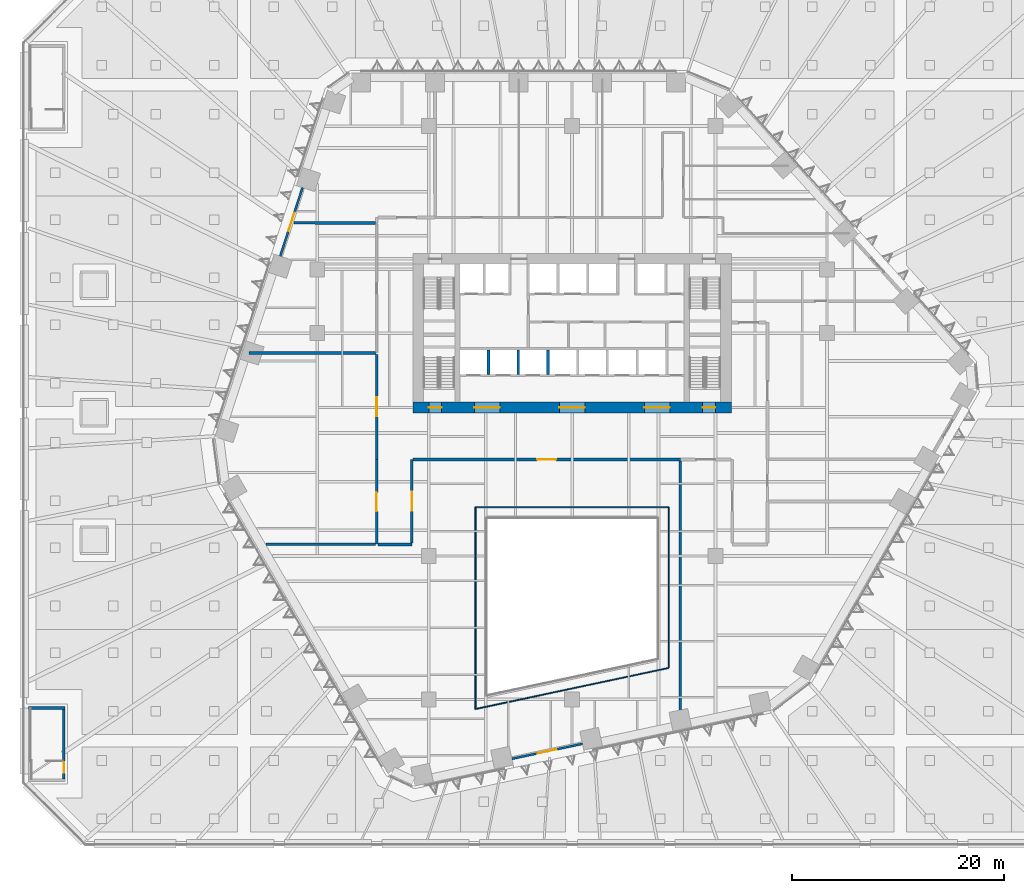
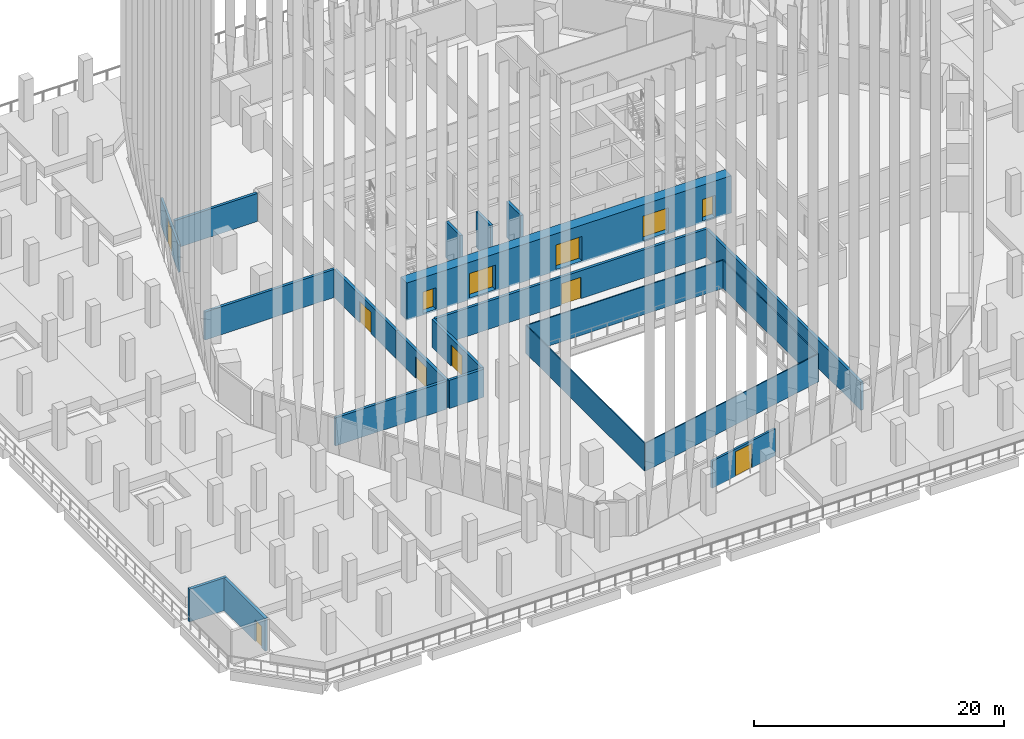
# One storey, part 24 of 51: 21 walls, 12 doors, 12 openings.
"""IFC4 building model written with IfcOpenShell, lengths in metres."""

import ifcopenshell
import ifcopenshell.guid

model = None  # the IFC model being written
_history = None  # IfcOwnerHistory: only IFC2X3 demands one
_inside = {}  # id of a spatial element -> (the spatial element, [elements in it])
_under = {}  # id of a project, library or spatial element -> (it, [spatial elements below it])
_declared = {}  # id of a project -> (the project, [libraries it declares])
_typed = {}  # id of a type object -> (the type object, [elements of that type])
_made_of = {}  # id of a material, layer set ... -> (it, [elements and type objects made of it])


def new_model(schema):
    """Start an empty IFC model of exactly this schema.

    Asked for "IFC4X3", IfcOpenShell would pick the latest addendum, in which some entities
    have other attributes; the version numbers below select the first issue.
    IFC2X3 requires an IfcOwnerHistory on every rooted entity: one is made here for all.
    """
    global model, _history
    if schema == "IFC4X3":
        model = ifcopenshell.file(schema_version=(4, 3, 0, 0))
    else:
        model = ifcopenshell.file(schema=schema)
    _inside.clear()
    _under.clear()
    _declared.clear()
    _typed.clear()
    _made_of.clear()
    _history = None
    if model.schema == "IFC2X3":
        org = make("IfcOrganization", Name="unknown")
        user = make(
            "IfcPersonAndOrganization",
            ThePerson=make("IfcPerson", FamilyName="unknown"),
            TheOrganization=org,
        )
        app = make(
            "IfcApplication",
            ApplicationDeveloper=org,
            Version="unknown",
            ApplicationFullName="unknown",
            ApplicationIdentifier="unknown",
        )
        _history = make(
            "IfcOwnerHistory",
            OwningUser=user,
            OwningApplication=app,
            ChangeAction="ADDED",
            CreationDate=0,
        )
    return model


def make(cls, **values):
    """One entity of the class cls with the attributes given. An attribute that is None is left unset."""
    return model.create_entity(
        cls, **{name: value for name, value in values.items() if value is not None}
    )


def rooted(cls, **values):
    """An entity with a GlobalId (a new one), such as an element, a storey or a relation."""
    return make(cls, GlobalId=ifcopenshell.guid.new(), OwnerHistory=_history, **values)


def si_unit(unit_type, name, prefix=None):
    """IfcSIUnit, for example si_unit("LENGTHUNIT", "METRE", prefix="MILLI")."""
    return make("IfcSIUnit", UnitType=unit_type, Prefix=prefix, Name=name)


def assignment(units):
    """IfcUnitAssignment: the units of a project."""
    return None if units is None else make("IfcUnitAssignment", Units=units)


def point(xyz):
    """IfcCartesianPoint."""
    return None if xyz is None else make("IfcCartesianPoint", Coordinates=xyz)


def direction(xyz):
    """IfcDirection."""
    return None if xyz is None else make("IfcDirection", DirectionRatios=xyz)


def frame(location, z_axis=None, x_axis=None):
    """IfcAxis2Placement3D, a coordinate frame: its origin and axes. An axis left out is left unset."""
    return make(
        "IfcAxis2Placement3D",
        Location=point(location),
        Axis=direction(z_axis),
        RefDirection=direction(x_axis),
    )


def frame_2d(location, x_axis=None):
    """IfcAxis2Placement2D, a coordinate frame in the plane: its origin and x axis."""
    return make(
        "IfcAxis2Placement2D", Location=point(location), RefDirection=direction(x_axis)
    )


def origin():
    """The frame at (0, 0, 0) with its axes left unset."""
    return frame((0.0, 0.0, 0.0))


def place(relative_to, where):
    """IfcLocalPlacement: puts the frame where relative to a parent placement (None: the world)."""
    return make(
        "IfcLocalPlacement", PlacementRelTo=relative_to, RelativePlacement=where
    )


def context(
    kind, dimensions, precision=None, world=None, true_north=None, identifier=None
):
    """IfcGeometricRepresentationContext, for example the 3D "Model" context."""
    return make(
        "IfcGeometricRepresentationContext",
        ContextIdentifier=identifier,
        ContextType=kind,
        CoordinateSpaceDimension=dimensions,
        Precision=precision,
        WorldCoordinateSystem=world,
        TrueNorth=true_north,
    )


def subcontext(parent, identifier, kind, view, scale=None):
    """IfcGeometricRepresentationSubContext, for example "Body" below "Model"."""
    return make(
        "IfcGeometricRepresentationSubContext",
        ContextIdentifier=identifier,
        ContextType=kind,
        ParentContext=parent,
        TargetScale=scale,
        TargetView=view,
    )


def project(units=None, contexts=None):
    """IfcProject with its units and contexts."""
    return rooted(
        "IfcProject",
        Name="project",
        RepresentationContexts=contexts,
        UnitsInContext=assignment(units),
    )


def spatial(cls, under=None, at=None, **own):
    """A site, building, storey or space (cls), placed at a placement, below another one or the project."""
    s = rooted(cls, ObjectPlacement=at, **own)
    if under is not None:
        _under.setdefault(under.id(), (under, []))[1].append(s)
    return s


def profile(cls, at=None, kind="AREA", **sizes):
    """A parametric profile (cls). Its sizes go by their IFC names, for example OverallWidth=200.0."""
    return make(cls, ProfileType=kind, Position=at, **sizes)


def rectangle(**sizes):
    """IfcRectangleProfileDef."""
    return profile("IfcRectangleProfileDef", **sizes)


def extrude(swept, where, along, depth):
    """IfcExtrudedAreaSolid: the profile swept, set in the frame where, extruded along a direction by depth."""
    return make(
        "IfcExtrudedAreaSolid",
        SweptArea=swept,
        Position=where,
        ExtrudedDirection=direction(along),
        Depth=depth,
    )


def shape(context_of_items, identifier, shape_type, items):
    """IfcShapeRepresentation: the items that make up one representation, for example the "Body"."""
    return make(
        "IfcShapeRepresentation",
        ContextOfItems=context_of_items,
        RepresentationIdentifier=identifier,
        RepresentationType=shape_type,
        Items=items,
    )


def material(Name=None, Category=None):
    """IfcMaterial."""
    return make("IfcMaterial", Name=Name, Category=Category)


def layer(
    of_material, thickness, ventilated=None, Name=None, Category=None, Priority=None
):
    """IfcMaterialLayer: one layer of a wall or slab, of a material (None: an air gap)."""
    return make(
        "IfcMaterialLayer",
        Material=of_material,
        LayerThickness=thickness,
        IsVentilated=ventilated,
        Name=Name,
        Category=Category,
        Priority=Priority,
    )


def layer_set(layers, Name=None):
    """IfcMaterialLayerSet."""
    return make("IfcMaterialLayerSet", MaterialLayers=layers, LayerSetName=Name)


def made_of(thing, what):
    """Note that an element or type object is made of a material, layer set ...; save() writes the relation."""
    if what is not None:
        _made_of.setdefault(what.id(), (what, []))[1].append(thing)
    return thing


def type_object(cls, material=None, **own):
    """A type object (cls), such as IfcWallType, which elements share."""
    return made_of(rooted(cls, **own), material)


def element(
    cls,
    number,
    at=None,
    inside=None,
    cuts=None,
    type_object=None,
    material=None,
    context=None,
    identifier="Body",
    shape_type=None,
    held_by="IfcProductDefinitionShape",
    body=None,
    shapes=None,
    **own,
):
    """One element of the class cls, such as IfcWall. Its Tag is "e" and its number.

    at: its placement. inside: the storey or other place that contains it. cuts: it is an
    opening in that element (IfcRelVoidsElement). A single representation is given by context,
    identifier, shape_type and body (its items); several are given by shapes. held_by: the class
    of the entity that holds the representations. save() writes the other relations.
    """
    e = rooted(cls, Tag="e%d" % number, ObjectPlacement=at, **own)
    if body is not None:
        shapes = [shape(context, identifier, shape_type, body)]
    if shapes is not None:
        e.Representation = make(held_by, Representations=shapes)
    if inside is not None:
        _inside.setdefault(inside.id(), (inside, []))[1].append(e)
    if cuts is not None:
        rooted(
            "IfcRelVoidsElement", RelatingBuildingElement=cuts, RelatedOpeningElement=e
        )
    if type_object is not None:
        _typed.setdefault(type_object.id(), (type_object, []))[1].append(e)
    return made_of(e, material)


def fill(opening, filler):
    """IfcRelFillsElement: the door or window that sits in an opening."""
    return rooted(
        "IfcRelFillsElement",
        RelatingOpeningElement=opening,
        RelatedBuildingElement=filler,
    )


def aggregate(whole, parts):
    """IfcRelAggregates: a whole, such as a stair, and the parts it consists of."""
    return rooted("IfcRelAggregates", RelatingObject=whole, RelatedObjects=parts)


def save(model, path):
    """Write the relations noted so far, then the file.

    IfcRelAggregates (storeys below a building ...), IfcRelContainedInSpatialStructure (elements
    in a storey), IfcRelDefinesByType, IfcRelAssociatesMaterial and IfcRelDeclares: one each for
    every whole, place, type object, material and project.
    """
    for whole, parts in _under.values():
        aggregate(whole, parts)
    for where, things in _inside.values():
        rooted(
            "IfcRelContainedInSpatialStructure",
            RelatedElements=things,
            RelatingStructure=where,
        )
    for kind, things in _typed.values():
        rooted("IfcRelDefinesByType", RelatedObjects=things, RelatingType=kind)
    for what, things in _made_of.values():
        rooted("IfcRelAssociatesMaterial", RelatedObjects=things, RelatingMaterial=what)
    for by, libraries in _declared.values():
        rooted("IfcRelDeclares", RelatingContext=by, RelatedDefinitions=libraries)
    model.write(path)


model = new_model("IFC4")

# Units and contexts
model_context = context("Model", 3, precision=1e-05, world=origin(), true_north=direction((0.0, 1.0)))
body_context = subcontext(model_context, "Body", "Model", "MODEL_VIEW")
ifc_project = project(units=[si_unit("LENGTHUNIT", "METRE"), si_unit("AREAUNIT", "SQUARE_METRE"), si_unit("VOLUMEUNIT", "CUBIC_METRE"), si_unit("PLANEANGLEUNIT", "RADIAN"), si_unit("MASSUNIT", "GRAM", prefix="KILO")], contexts=[model_context])

# Site, building, storey
site_placement = place(None, origin())
site = spatial("IfcSite", under=ifc_project, at=site_placement, CompositionType="ELEMENT")
building_placement = place(site_placement, origin())
building = spatial("IfcBuilding", under=site, at=building_placement, Name="Isthmus Gate Tower", CompositionType="ELEMENT")
storey_placement = place(building_placement, frame((0.0, 0.0, 36.0)))
storey = spatial("IfcBuildingStorey", under=building, at=storey_placement, Name="L06", CompositionType="ELEMENT", Elevation=36.0)

# Wall, opening, door
ifc_material_1 = material(Name="Double-leaf acoustic stud wall, fire-rated", Category="gypsum")
ifc_layer_1 = layer(ifc_material_1, 0.25)
ifc_layer_set_1 = layer_set([ifc_layer_1], Name="ACOUSTIC WALL 250 60 MIN")
wall_type_1 = type_object("IfcWallType", Name="ACOUSTIC WALL 250 60 MIN", PredefinedType="PARTITIONING", material=ifc_layer_set_1)
wall_1_placement = place(storey_placement, frame((10.19189453125, -4.39990234375, 0.0), z_axis=(0.0, 0.0, 1.0), x_axis=(-1.0, 0.0, 0.0)))
wall_1 = element("IfcWall", 1, at=wall_1_placement, inside=storey, type_object=wall_type_1, Name="L06 Acoustic Wall 250 60 Min", PredefinedType="PARTITIONING", context=body_context, shape_type="SweptSolid", body=[
    extrude(rectangle(XDim=25.1669921875, YDim=0.25, at=frame_2d((12.58349609375, 0.0))), origin(), (0.0, 0.0, 1.0), 2.7412109375),
])
opening_1_placement = place(wall_1_placement, frame((11.696044921875, 0.0, 0.0)))
opening_1 = element("IfcOpeningElement", 2, at=opening_1_placement, cuts=wall_1, Name="Opening DT-T1A-14", PredefinedType="OPENING", context=body_context, shape_type="SweptSolid", body=[
    extrude(rectangle(XDim=1.800048828125, YDim=2.10009765625, at=frame_2d((0.89990234375, 1.050048828125))), frame((0.0, 0.135009765625, 0.0), z_axis=(0.0, -1.0, 0.0), x_axis=(1.0, 0.0, 0.0)), (0.0, 0.0, 1.0), 0.27001953125),
])
ifc_material_2 = material(Name="Solid core timber door leaf, fire-rated", Category="wood")
door_type_1 = type_object("IfcDoorType", Name="FIRE DOOR ACOUSTIC ROOM 1800 X 2100 60 MIN", OperationType="DOUBLE_DOOR_DOUBLE_SWING", PredefinedType="DOOR", material=ifc_material_2)
door_1_placement = place(opening_1_placement, origin())
door_1 = element("IfcDoor", 3, at=door_1_placement, inside=storey, type_object=door_type_1, Name="L06 room door", OperationType="DOUBLE_DOOR_DOUBLE_SWING", OverallHeight=2.10009765625, OverallWidth=1.800048828125, PredefinedType="DOOR", context=body_context, shape_type="SweptSolid", body=[
    extrude(rectangle(XDim=1.800048828125, YDim=2.10009765625, at=frame_2d((0.89990234375, 1.050048828125))), frame((0.0, 0.02490234375, 0.0), z_axis=(0.0, -1.0, 0.0), x_axis=(1.0, 0.0, 0.0)), (0.0, 0.0, 1.0), 0.050048828125),
])
fill(opening_1, door_1)

# Wall
wall_2_placement = place(storey_placement, frame((-15.10009765625, -12.39990234375, 0.0), z_axis=(0.0, 0.0, 1.0), x_axis=(-1.0, 0.0, 0.0)))
element("IfcWall", 4, at=wall_2_placement, inside=storey, type_object=wall_type_1, Name="L06 Acoustic Wall 250 60 Min", PredefinedType="PARTITIONING", context=body_context, shape_type="SweptSolid", body=[
    extrude(rectangle(XDim=3.201904296875, YDim=0.25, at=frame_2d((1.60107421875, 0.0))), origin(), (0.0, 0.0, 1.0), 2.7412109375),
])

# Wall, opening, door
wall_3_placement = place(storey_placement, frame((-15.10009765625, -4.39990234375, 0.0), z_axis=(0.0, 0.0, 1.0), x_axis=(0.0, -1.0, 0.0)))
wall_3 = element("IfcWall", 5, at=wall_3_placement, inside=storey, type_object=wall_type_1, Name="L06 Acoustic Wall 250 60 Min", PredefinedType="PARTITIONING", context=body_context, shape_type="SweptSolid", body=[
    extrude(rectangle(XDim=7.875, YDim=0.25, at=frame_2d((3.9375, 0.0))), origin(), (0.0, 0.0, 1.0), 2.7412109375),
])
opening_2_placement = place(wall_3_placement, frame((3.03759765625, 0.0, 0.0)))
opening_2 = element("IfcOpeningElement", 6, at=opening_2_placement, cuts=wall_3, Name="Opening DT-T1A-15", PredefinedType="OPENING", context=body_context, shape_type="SweptSolid", body=[
    extrude(rectangle(XDim=1.800048828125, YDim=2.10009765625, at=frame_2d((0.89990234375, 1.050048828125))), frame((0.0, 0.135009765625, 0.0), z_axis=(0.0, -1.0, 0.0), x_axis=(1.0, 0.0, 0.0)), (0.0, 0.0, 1.0), 0.27001953125),
])
door_2_placement = place(opening_2_placement, origin())
door_2 = element("IfcDoor", 7, at=door_2_placement, inside=storey, type_object=door_type_1, Name="L06 room door", OperationType="DOUBLE_DOOR_DOUBLE_SWING", OverallHeight=2.10009765625, OverallWidth=1.800048828125, PredefinedType="DOOR", context=body_context, shape_type="SweptSolid", body=[
    extrude(rectangle(XDim=1.800048828125, YDim=2.10009765625, at=frame_2d((0.89990234375, 1.050048828125))), frame((0.0, 0.02490234375, 0.0), z_axis=(0.0, -1.0, 0.0), x_axis=(1.0, 0.0, 0.0)), (0.0, 0.0, 1.0), 0.050048828125),
])
fill(opening_2, door_2)

# Walls
wall_4_placement = place(storey_placement, frame((-26.169921875, 17.8828125, 0.0), z_axis=(0.0, 0.0, 1.0), x_axis=(0.999999975014, -0.00022354218, 0.0)))
element("IfcWall", 8, at=wall_4_placement, inside=storey, type_object=wall_type_1, Name="L06 Acoustic Wall 250 60 Min", PredefinedType="PARTITIONING", context=body_context, shape_type="SweptSolid", body=[
    extrude(rectangle(XDim=7.64501953125, YDim=0.25, at=frame_2d((3.822509765625, 0.0))), origin(), (0.0, 0.0, 1.0), 2.7412109375),
])
wall_5_placement = place(storey_placement, frame((-30.450927734375, 5.6298828125, 0.0), z_axis=(0.0, 0.0, 1.0), x_axis=(1.0, 0.0, 0.0)))
element("IfcWall", 9, at=wall_5_placement, inside=storey, type_object=wall_type_1, Name="L06 Acoustic Wall 250 60 Min", PredefinedType="PARTITIONING", context=body_context, shape_type="SweptSolid", body=[
    extrude(rectangle(XDim=11.975830078125, YDim=0.25, at=frame_2d((5.98779296875, 0.0))), origin(), (0.0, 0.0, 1.0), 2.7412109375),
])

# Wall, opening, door
wall_6_placement = place(storey_placement, frame((-18.402099609375, -12.3515625, 0.0), z_axis=(0.0, 0.0, 1.0), x_axis=(0.0, 1.0, 0.0)))
wall_6 = element("IfcWall", 10, at=wall_6_placement, inside=storey, type_object=wall_type_1, Name="L06 Acoustic Wall 250 60 Min", PredefinedType="PARTITIONING", context=body_context, shape_type="SweptSolid", body=[
    extrude(rectangle(XDim=7.95361328125, YDim=0.25, at=frame_2d((3.976806640625, 0.0))), origin(), (0.0, 0.0, 1.0), 2.7412109375),
])
opening_3_placement = place(wall_6_placement, frame((3.06591796875, 0.0, 0.0)))
opening_3 = element("IfcOpeningElement", 11, at=opening_3_placement, cuts=wall_6, Name="Opening DT-T1A-12", PredefinedType="OPENING", context=body_context, shape_type="SweptSolid", body=[
    extrude(rectangle(XDim=1.800048828125, YDim=2.10009765625, at=frame_2d((0.89990234375, 1.050048828125))), frame((0.0, 0.135009765625, 0.0), z_axis=(0.0, -1.0, 0.0), x_axis=(1.0, 0.0, 0.0)), (0.0, 0.0, 1.0), 0.27001953125),
])
door_3_placement = place(opening_3_placement, origin())
door_3 = element("IfcDoor", 12, at=door_3_placement, inside=storey, type_object=door_type_1, Name="L06 room door", OperationType="DOUBLE_DOOR_DOUBLE_SWING", OverallHeight=2.10009765625, OverallWidth=1.800048828125, PredefinedType="DOOR", context=body_context, shape_type="SweptSolid", body=[
    extrude(rectangle(XDim=1.800048828125, YDim=2.10009765625, at=frame_2d((0.89990234375, 1.050048828125))), frame((0.0, 0.02490234375, 0.0), z_axis=(0.0, -1.0, 0.0), x_axis=(1.0, 0.0, 0.0)), (0.0, 0.0, 1.0), 0.050048828125),
])
fill(opening_3, door_3)

wall_7_placement = place(storey_placement, frame((-18.39990234375, -4.39794921875, 0.0), z_axis=(0.0, 0.0, 1.0), x_axis=(0.0, 1.0, 0.0)))
wall_7 = element("IfcWall", 13, at=wall_7_placement, inside=storey, type_object=wall_type_1, Name="L06 Acoustic Wall 250 60 Min", PredefinedType="PARTITIONING", context=body_context, shape_type="SweptSolid", body=[
    extrude(rectangle(XDim=9.90283203125, YDim=0.25, at=frame_2d((4.951416015625, 0.0))), origin(), (0.0, 0.0, 1.0), 2.7412109375),
])
opening_4_placement = place(wall_7_placement, frame((4.051513671875, 0.0, 0.0)))
opening_4 = element("IfcOpeningElement", 14, at=opening_4_placement, cuts=wall_7, Name="Opening DT-T1A-11", PredefinedType="OPENING", context=body_context, shape_type="SweptSolid", body=[
    extrude(rectangle(XDim=1.800048828125, YDim=2.10009765625, at=frame_2d((0.89990234375, 1.050048828125))), frame((0.0, 0.135009765625, 0.0), z_axis=(0.0, -1.0, 0.0), x_axis=(1.0, 0.0, 0.0)), (0.0, 0.0, 1.0), 0.27001953125),
])
door_4_placement = place(opening_4_placement, origin())
door_4 = element("IfcDoor", 15, at=door_4_placement, inside=storey, type_object=door_type_1, Name="L06 room door", OperationType="DOUBLE_DOOR_DOUBLE_SWING", OverallHeight=2.10009765625, OverallWidth=1.800048828125, PredefinedType="DOOR", context=body_context, shape_type="SweptSolid", body=[
    extrude(rectangle(XDim=1.800048828125, YDim=2.10009765625, at=frame_2d((0.89990234375, 1.050048828125))), frame((0.0, 0.02490234375, 0.0), z_axis=(0.0, -1.0, 0.0), x_axis=(1.0, 0.0, 0.0)), (0.0, 0.0, 1.0), 0.050048828125),
])
fill(opening_4, door_4)

# Walls
wall_8_placement = place(storey_placement, frame((-28.81396484375, -12.373046875, 0.0), z_axis=(0.0, 0.0, 1.0), x_axis=(1.0, 0.0, 0.0)))
element("IfcWall", 16, at=wall_8_placement, inside=storey, type_object=wall_type_1, Name="L06 Acoustic Wall 250 60 Min", PredefinedType="PARTITIONING", context=body_context, shape_type="SweptSolid", body=[
    extrude(rectangle(XDim=10.286865234375, YDim=0.25, at=frame_2d((5.1435546875, 0.0))), origin(), (0.0, 0.0, 1.0), 2.7412109375),
])
wall_9_placement = place(storey_placement, frame((10.19189453125, -29.219970703125, 0.0), z_axis=(0.0, 0.0, 1.0), x_axis=(0.0, 1.0, 0.0)))
element("IfcWall", 17, at=wall_9_placement, inside=storey, type_object=wall_type_1, Name="L06 Acoustic Wall 250 60 Min", PredefinedType="PARTITIONING", context=body_context, shape_type="SweptSolid", body=[
    extrude(rectangle(XDim=24.695068359375, YDim=0.25, at=frame_2d((12.34765625, 0.0))), origin(), (0.0, 0.0, 1.0), 2.7412109375),
])
ifc_material_3 = material(Name="Fire-rated laminated glass in steel frame", Category="steel")
ifc_layer_2 = layer(ifc_material_3, 0.10009765625)
ifc_layer_set_2 = layer_set([ifc_layer_2], Name="ATRIUM SCREEN GLAZED WALL 100 120 MIN")
wall_type_2 = type_object("IfcWallType", Name="ATRIUM SCREEN GLAZED WALL 100 120 MIN", PredefinedType="PARTITIONING", material=ifc_layer_set_2)
wall_10_placement = place(storey_placement, frame((-9.10009765625, -8.89990234375, 0.0), z_axis=(0.0, 0.0, 1.0), x_axis=(1.0, 0.0, 0.0)))
element("IfcWall", 18, at=wall_10_placement, inside=storey, type_object=wall_type_2, Name="L06 atrium screen", PredefinedType="PARTITIONING", context=body_context, shape_type="SweptSolid", body=[
    extrude(rectangle(XDim=18.2001953125, YDim=0.10009765625, at=frame_2d((9.10009765625, 0.0))), origin(), (0.0, 0.0, 1.0), 2.7412109375),
])
wall_11_placement = place(storey_placement, frame((9.10009765625, -8.89990234375, 0.0), z_axis=(0.0, 0.0, 1.0), x_axis=(0.0, -1.0, 0.0)))
element("IfcWall", 19, at=wall_11_placement, inside=storey, type_object=wall_type_2, Name="L06 atrium screen", PredefinedType="PARTITIONING", context=body_context, shape_type="SweptSolid", body=[
    extrude(rectangle(XDim=15.134033203125, YDim=0.10009765625, at=frame_2d((7.56689453125, 0.0))), origin(), (0.0, 0.0, 1.0), 2.7412109375),
])
wall_12_placement = place(storey_placement, frame((9.10009765625, -24.033935546875, 0.0), z_axis=(0.0, 0.0, 1.0), x_axis=(-0.978146710971, -0.207915876778, 0.0)))
element("IfcWall", 20, at=wall_12_placement, inside=storey, type_object=wall_type_2, Name="L06 atrium screen", PredefinedType="PARTITIONING", context=body_context, shape_type="SweptSolid", body=[
    extrude(rectangle(XDim=18.60693359375, YDim=0.10009765625, at=frame_2d((9.303466796875, 0.0))), origin(), (0.0, 0.0, 1.0), 2.7412109375),
])
wall_13_placement = place(storey_placement, frame((-9.10009765625, -27.902587890625, 0.0), z_axis=(0.0, 0.0, 1.0), x_axis=(0.0, 1.0, 0.0)))
element("IfcWall", 21, at=wall_13_placement, inside=storey, type_object=wall_type_2, Name="L06 atrium screen", PredefinedType="PARTITIONING", context=body_context, shape_type="SweptSolid", body=[
    extrude(rectangle(XDim=19.002685546875, YDim=0.10009765625, at=frame_2d((9.50146484375, 0.0))), origin(), (0.0, 0.0, 1.0), 2.7412109375),
])

# Wall, openings, doors
ifc_material_4 = material(Name="Concrete f'c 70 MPa", Category="concrete")
ifc_layer_3 = layer(ifc_material_4, 1.0)
ifc_layer_set_3 = layer_set([ifc_layer_3], Name="RC CORE WALL 1000 F'C 70")
wall_type_3 = type_object("IfcWallType", Name="RC CORE WALL 1000 F'C 70", PredefinedType="SOLIDWALL", material=ifc_layer_set_3)
wall_14_placement = place(storey_placement, frame((-15.0, 0.5, -0.14990234375), z_axis=(0.0, 0.0, 1.0), x_axis=(1.0, 0.0, 0.0)))
wall_14 = element("IfcWall", 22, at=wall_14_placement, inside=storey, type_object=wall_type_3, Name="str-corewall-L06-S", PredefinedType="SOLIDWALL", context=body_context, shape_type="SweptSolid", body=[
    extrude(rectangle(XDim=30.0, YDim=1.0, at=frame_2d((15.0, 0.0))), origin(), (0.0, 0.0, 1.0), 3.64990234375),
])
opening_5_placement = place(wall_14_placement, frame((5.800048828125, 0.0, 0.14990234375)))
opening_5 = element("IfcOpeningElement", 23, at=opening_5_placement, cuts=wall_14, Name="Opening DC-A03-08", PredefinedType="OPENING", context=body_context, shape_type="SweptSolid", body=[
    extrude(rectangle(XDim=2.39990234375, YDim=2.39990234375, at=frame_2d((1.199951171875, 1.199951171875))), frame((0.0, 0.510009765625, 0.0), z_axis=(0.0, -1.0, 0.0), x_axis=(1.0, 0.0, 0.0)), (0.0, 0.0, 1.0), 1.02001953125),
])
opening_6_placement = place(wall_14_placement, frame((13.800048828125, 0.0, 0.14990234375)))
opening_6 = element("IfcOpeningElement", 24, at=opening_6_placement, cuts=wall_14, Name="Opening DC-A03-09", PredefinedType="OPENING", context=body_context, shape_type="SweptSolid", body=[
    extrude(rectangle(XDim=2.39990234375, YDim=2.39990234375, at=frame_2d((1.199951171875, 1.199951171875))), frame((0.0, 0.510009765625, 0.0), z_axis=(0.0, -1.0, 0.0), x_axis=(1.0, 0.0, 0.0)), (0.0, 0.0, 1.0), 1.02001953125),
])
opening_7_placement = place(wall_14_placement, frame((21.800048828125, 0.0, 0.14990234375)))
opening_7 = element("IfcOpeningElement", 25, at=opening_7_placement, cuts=wall_14, Name="Opening DC-A03-10", PredefinedType="OPENING", context=body_context, shape_type="SweptSolid", body=[
    extrude(rectangle(XDim=2.39990234375, YDim=2.39990234375, at=frame_2d((1.199951171875, 1.199951171875))), frame((0.0, 0.510009765625, 0.0), z_axis=(0.0, -1.0, 0.0), x_axis=(1.0, 0.0, 0.0)), (0.0, 0.0, 1.0), 1.02001953125),
])
opening_8_placement = place(wall_14_placement, frame((1.5, 0.0, 0.14990234375)))
opening_8 = element("IfcOpeningElement", 26, at=opening_8_placement, cuts=wall_14, Name="Opening DC-A03-15", PredefinedType="OPENING", context=body_context, shape_type="SweptSolid", body=[
    extrude(rectangle(XDim=1.199951171875, YDim=2.10009765625, at=frame_2d((0.60009765625, 1.050048828125))), frame((0.0, 0.510009765625, 0.0), z_axis=(0.0, -1.0, 0.0), x_axis=(1.0, 0.0, 0.0)), (0.0, 0.0, 1.0), 1.02001953125),
])
opening_9_placement = place(wall_14_placement, frame((27.300048828125, 0.0, 0.14990234375)))
opening_9 = element("IfcOpeningElement", 27, at=opening_9_placement, cuts=wall_14, Name="Opening DC-A03-16", PredefinedType="OPENING", context=body_context, shape_type="SweptSolid", body=[
    extrude(rectangle(XDim=1.199951171875, YDim=2.10009765625, at=frame_2d((0.60009765625, 1.050048828125))), frame((0.0, 0.510009765625, 0.0), z_axis=(0.0, -1.0, 0.0), x_axis=(1.0, 0.0, 0.0)), (0.0, 0.0, 1.0), 1.02001953125),
])
ifc_material_5 = material(Name="Laminated safety glass in steel frame, fire-rated", Category="steel")
door_type_2 = type_object("IfcDoorType", Name="LOBBY ENTRANCE FIRE DOOR 2400 X 2400 60 MIN", OperationType="DOUBLE_DOOR_DOUBLE_SWING", PredefinedType="DOOR", material=ifc_material_5)
door_5_placement = place(opening_5_placement, origin())
door_5 = element("IfcDoor", 28, at=door_5_placement, inside=storey, type_object=door_type_2, Name="Lobby Entrance PS-W", OperationType="DOUBLE_DOOR_DOUBLE_SWING", OverallHeight=2.39990234375, OverallWidth=2.39990234375, PredefinedType="DOOR", context=body_context, shape_type="SweptSolid", body=[
    extrude(rectangle(XDim=2.39990234375, YDim=2.39990234375, at=frame_2d((1.199951171875, 1.199951171875))), frame((0.0, 0.02490234375, 0.0), z_axis=(0.0, -1.0, 0.0), x_axis=(1.0, 0.0, 0.0)), (0.0, 0.0, 1.0), 0.050048828125),
])
fill(opening_5, door_5)
door_6_placement = place(opening_6_placement, origin())
door_6 = element("IfcDoor", 29, at=door_6_placement, inside=storey, type_object=door_type_2, Name="Lobby Entrance PS-C", OperationType="DOUBLE_DOOR_DOUBLE_SWING", OverallHeight=2.39990234375, OverallWidth=2.39990234375, PredefinedType="DOOR", context=body_context, shape_type="SweptSolid", body=[
    extrude(rectangle(XDim=2.39990234375, YDim=2.39990234375, at=frame_2d((1.199951171875, 1.199951171875))), frame((0.0, 0.02490234375, 0.0), z_axis=(0.0, -1.0, 0.0), x_axis=(1.0, 0.0, 0.0)), (0.0, 0.0, 1.0), 0.050048828125),
])
fill(opening_6, door_6)
door_7_placement = place(opening_7_placement, origin())
door_7 = element("IfcDoor", 30, at=door_7_placement, inside=storey, type_object=door_type_2, Name="Lobby Entrance PS-E", OperationType="DOUBLE_DOOR_DOUBLE_SWING", OverallHeight=2.39990234375, OverallWidth=2.39990234375, PredefinedType="DOOR", context=body_context, shape_type="SweptSolid", body=[
    extrude(rectangle(XDim=2.39990234375, YDim=2.39990234375, at=frame_2d((1.199951171875, 1.199951171875))), frame((0.0, 0.02490234375, 0.0), z_axis=(0.0, -1.0, 0.0), x_axis=(1.0, 0.0, 0.0)), (0.0, 0.0, 1.0), 0.050048828125),
])
fill(opening_7, door_7)
ifc_material_6 = material(Name="Steel door leaf, fire-rated", Category="steel")
door_type_3 = type_object("IfcDoorType", Name="STAIR FIRE DOOR 1200 X 2100 90 MIN", OperationType="SINGLE_SWING_LEFT", PredefinedType="DOOR", material=ifc_material_6)
door_8_placement = place(opening_8_placement, origin())
door_8 = element("IfcDoor", 31, at=door_8_placement, inside=storey, type_object=door_type_3, Name="Exit Stair 7 Door", OperationType="SINGLE_SWING_LEFT", OverallHeight=2.10009765625, OverallWidth=1.199951171875, PredefinedType="DOOR", context=body_context, shape_type="SweptSolid", body=[
    extrude(rectangle(XDim=1.199951171875, YDim=2.10009765625, at=frame_2d((0.60009765625, 1.050048828125))), frame((0.0, 0.02490234375, 0.0), z_axis=(0.0, -1.0, 0.0), x_axis=(1.0, 0.0, 0.0)), (0.0, 0.0, 1.0), 0.050048828125),
])
fill(opening_8, door_8)
door_9_placement = place(opening_9_placement, origin())
door_9 = element("IfcDoor", 32, at=door_9_placement, inside=storey, type_object=door_type_3, Name="Exit Stair 8 Door", OperationType="SINGLE_SWING_RIGHT", OverallHeight=2.10009765625, OverallWidth=1.199951171875, PredefinedType="DOOR", context=body_context, shape_type="SweptSolid", body=[
    extrude(rectangle(XDim=1.199951171875, YDim=2.10009765625, at=frame_2d((0.60009765625, 1.050048828125))), frame((0.0, 0.02490234375, 0.0), z_axis=(0.0, -1.0, 0.0), x_axis=(1.0, 0.0, 0.0)), (0.0, 0.0, 1.0), 0.050048828125),
])
fill(opening_9, door_9)

# Walls
ifc_material_7 = material(Name="Fire-rated blockwork masonry, 15 MPa", Category="masonry")
ifc_layer_4 = layer(ifc_material_7, 0.25)
ifc_layer_set_4 = layer_set([ifc_layer_4], Name="SHAFT WALL 250 120 MIN")
wall_type_4 = type_object("IfcWallType", Name="SHAFT WALL 250 120 MIN", PredefinedType="PARTITIONING", material=ifc_layer_set_4)
for number, where, z_axis, x_axis, name in (
    (33, (-7.875, 3.60009765625, 0.0), (0.0, 0.0, 1.0), (0.0, 1.0, 0.0), "L06 SHAFT WALL 250 120 MIN"),
    (34, (-5.074951171875, 3.60009765625, 0.0), (0.0, 0.0, 1.0), (0.0, 1.0, 0.0), "L06 SHAFT WALL 250 120 MIN"),
    (35, (-2.27490234375, 3.60009765625, 0.0), (0.0, 0.0, 1.0), (0.0, 1.0, 0.0), "L06 SHAFT WALL 250 120 MIN"),
):
    element("IfcWall", number, at=place(storey_placement, frame(where, z_axis=z_axis, x_axis=x_axis)), inside=storey, type_object=wall_type_4, Name=name, PredefinedType="PARTITIONING", context=body_context, shape_type="SweptSolid", body=[
        extrude(rectangle(XDim=2.2998046875, YDim=0.25, at=frame_2d((1.14990234375, 0.0))), origin(), (0.0, 0.0, 1.0), 3.5),
    ])
ifc_material_8 = material(Name="Concrete f'c 40 MPa", Category="concrete")
ifc_layer_5 = layer(ifc_material_8, 0.25)
ifc_layer_set_5 = layer_set([ifc_layer_5])
wall_type_5 = type_object("IfcWallType", Name="Stair shaft wall 250 reinforced concrete", PredefinedType="SHEAR", material=ifc_layer_set_5)
wall_15_placement = place(storey_placement, frame((-51.199951171875, -27.803955078125, 0.0), z_axis=(0.0, 0.0, 1.0), x_axis=(1.0, 0.0, 0.0)))
element("IfcWall", 36, at=wall_15_placement, inside=storey, type_object=wall_type_5, Name="Stair head-house wall", PredefinedType="SHEAR", context=body_context, shape_type="SweptSolid", body=[
    extrude(rectangle(XDim=3.449951171875, YDim=0.25, at=frame_2d((1.72509765625, 0.0))), origin(), (0.0, 0.0, 1.0), 3.199951171875),
])

# Wall, opening, door
wall_16_placement = place(storey_placement, frame((-47.875, -34.47509765625, 0.0), z_axis=(0.0, 0.0, 1.0), x_axis=(0.0, 1.0, 0.0)))
wall_16 = element("IfcWall", 37, at=wall_16_placement, inside=storey, type_object=wall_type_5, Name="Stair head-house wall", PredefinedType="SHEAR", context=body_context, shape_type="SweptSolid", body=[
    extrude(rectangle(XDim=6.546142578125, YDim=0.25, at=frame_2d((3.27294921875, 0.0))), origin(), (0.0, 0.0, 1.0), 3.199951171875),
])
opening_10_placement = place(wall_16_placement, frame((0.574951171875, 0.0, 0.0)))
opening_10 = element("IfcOpeningElement", 38, at=opening_10_placement, cuts=wall_16, Name="Opening DP06-31", PredefinedType="OPENING", context=body_context, shape_type="SweptSolid", body=[
    extrude(rectangle(XDim=1.0, YDim=2.10009765625, at=frame_2d((0.5, 1.050048828125))), frame((0.0, 0.135009765625, 0.0), z_axis=(0.0, -1.0, 0.0), x_axis=(1.0, 0.0, 0.0)), (0.0, 0.0, 1.0), 0.27001953125),
])
ifc_material_9 = material(Name="Steel fire door with intumescent seals", Category="steel")
door_type_4 = type_object("IfcDoorType", Name="Fire door 1000 x 2100", OperationType="SINGLE_SWING_LEFT", PredefinedType="DOOR", material=ifc_material_9)
door_10_placement = place(opening_10_placement, origin())
door_10 = element("IfcDoor", 39, at=door_10_placement, inside=storey, type_object=door_type_4, Name="Door DP06-31", OperationType="SINGLE_SWING_LEFT", OverallHeight=2.10009765625, OverallWidth=1.0, PredefinedType="DOOR", context=body_context, shape_type="SweptSolid", body=[
    extrude(rectangle(XDim=1.0, YDim=2.10009765625, at=frame_2d((0.5, 1.050048828125))), frame((0.0, 0.02490234375, 0.0), z_axis=(0.0, -1.0, 0.0), x_axis=(1.0, 0.0, 0.0)), (0.0, 0.0, 1.0), 0.050048828125),
])
fill(opening_10, door_10)

ifc_material_10 = material(Name="Precast concrete C40/50", Category="concrete")
ifc_layer_6 = layer(ifc_material_10, 0.199951171875)
ifc_layer_set_6 = layer_set([ifc_layer_6], Name="TERRACE DOOR WALL 200")
wall_type_6 = type_object("IfcWallType", Name="TERRACE DOOR WALL 200", PredefinedType="SOLIDWALL", material=ifc_layer_set_6)
wall_17_placement = place(storey_placement, frame((-25.390869140625, 21.20458984375, 0.0), z_axis=(0.0, 0.0, 1.0), x_axis=(-0.30900150794, -0.951061548004, 0.0)))
wall_17 = element("IfcWall", 40, at=wall_17_placement, inside=storey, type_object=wall_type_6, Name="TERRACE DOOR WALL", PredefinedType="SOLIDWALL", context=body_context, shape_type="SweptSolid", body=[
    extrude(rectangle(XDim=6.789306640625, YDim=0.199951171875, at=frame_2d((3.39453125, 0.0))), origin(), (0.0, 0.0, 1.0), 2.64990234375),
])
opening_11_placement = place(wall_17_placement, frame((2.49462890625, 0.0, 0.0)))
opening_11 = element("IfcOpeningElement", 41, at=opening_11_placement, cuts=wall_17, Name="Opening DE06-01", PredefinedType="OPENING", context=body_context, shape_type="SweptSolid", body=[
    extrude(rectangle(XDim=1.800048828125, YDim=2.39990234375, at=frame_2d((0.89990234375, 1.199951171875))), frame((0.0, 0.10986328125, 0.0), z_axis=(0.0, -1.0, 0.0), x_axis=(1.0, 0.0, 0.0)), (0.0, 0.0, 1.0), 0.219970703125),
])
ifc_material_11 = material(Name="Aluminium and laminated glass", Category="aluminium")
door_type_5 = type_object("IfcDoorType", Name="TERRACE DOOR SLIDING 1800 X 2400", OperationType="DOUBLE_DOOR_SLIDING", PredefinedType="DOOR", material=ifc_material_11)
door_11_placement = place(opening_11_placement, origin())
door_11 = element("IfcDoor", 42, at=door_11_placement, inside=storey, type_object=door_type_5, Name="DOOR DE06-01", OperationType="SINGLE_SWING_LEFT", OverallHeight=2.39990234375, OverallWidth=1.800048828125, PredefinedType="DOOR", context=body_context, shape_type="SweptSolid", body=[
    extrude(rectangle(XDim=1.800048828125, YDim=2.39990234375, at=frame_2d((0.89990234375, 1.199951171875))), frame((0.0, 0.02490234375, 0.0), z_axis=(0.0, -1.0, 0.0), x_axis=(1.0, 0.0, 0.0)), (0.0, 0.0, 1.0), 0.050048828125),
])
fill(opening_11, door_11)

wall_18_placement = place(storey_placement, frame((-5.668212890625, -32.591552734375, 0.0), z_axis=(0.0, 0.0, 1.0), x_axis=(0.978145779981, 0.207920256603, 0.0)))
wall_18 = element("IfcWall", 43, at=wall_18_placement, inside=storey, type_object=wall_type_6, Name="TERRACE DOOR WALL", PredefinedType="SOLIDWALL", context=body_context, shape_type="SweptSolid", body=[
    extrude(rectangle(XDim=6.789306640625, YDim=0.199951171875, at=frame_2d((3.39453125, 0.0))), origin(), (0.0, 0.0, 1.0), 2.64990234375),
])
opening_12_placement = place(wall_18_placement, frame((2.49462890625, 0.0, 0.0)))
opening_12 = element("IfcOpeningElement", 44, at=opening_12_placement, cuts=wall_18, Name="Opening DE06-02", PredefinedType="OPENING", context=body_context, shape_type="SweptSolid", body=[
    extrude(rectangle(XDim=1.800048828125, YDim=2.39990234375, at=frame_2d((0.89990234375, 1.199951171875))), frame((0.0, 0.10986328125, 0.0), z_axis=(0.0, -1.0, 0.0), x_axis=(1.0, 0.0, 0.0)), (0.0, 0.0, 1.0), 0.219970703125),
])
door_12_placement = place(opening_12_placement, origin())
door_12 = element("IfcDoor", 45, at=door_12_placement, inside=storey, type_object=door_type_5, Name="DOOR DE06-02", OperationType="SINGLE_SWING_LEFT", OverallHeight=2.39990234375, OverallWidth=1.800048828125, PredefinedType="DOOR", context=body_context, shape_type="SweptSolid", body=[
    extrude(rectangle(XDim=1.800048828125, YDim=2.39990234375, at=frame_2d((0.89990234375, 1.199951171875))), frame((0.0, 0.02490234375, 0.0), z_axis=(0.0, -1.0, 0.0), x_axis=(1.0, 0.0, 0.0)), (0.0, 0.0, 1.0), 0.050048828125),
])
fill(opening_12, door_12)

save(model, "model.ifc")
